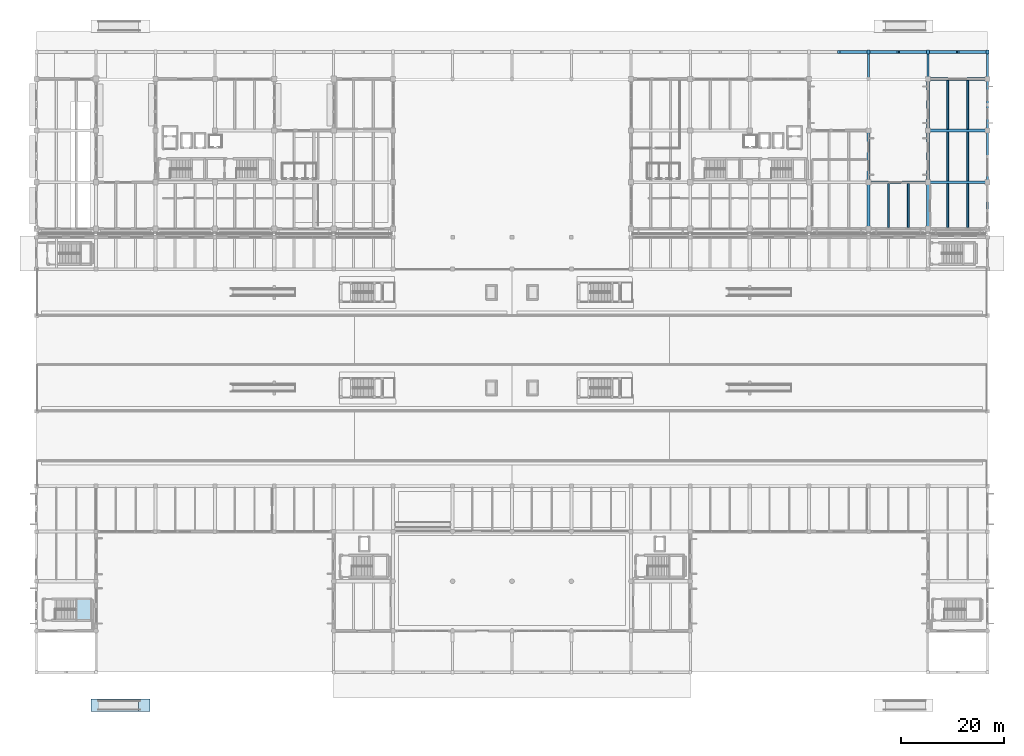
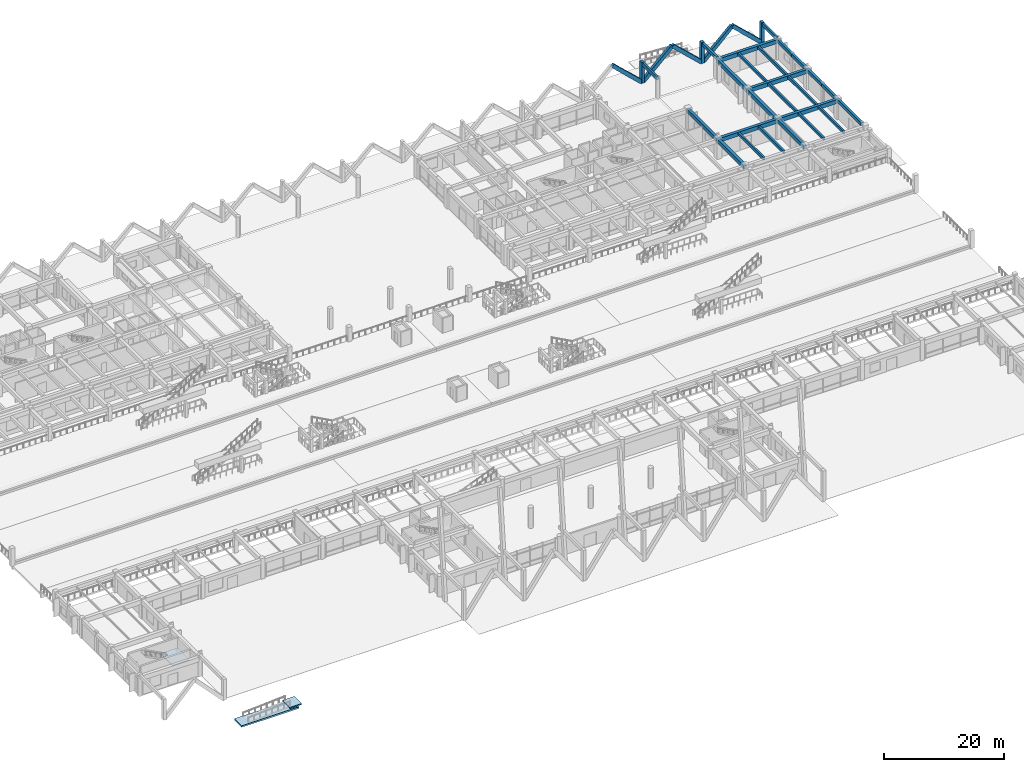
# One storey, part 71 of 109: 25 beams, 8 members, 3 slabs, 2 elements without a shape of their own.
"""IFC4 building model written with IfcOpenShell, lengths in metres."""

from ifc_helpers import new_model, si_unit, direction, frame, origin, origin_2d, place, context, subcontext, project, spatial, polyline, rectangle, outline, extrude, material, layer, layer_set, material_profile, profile_set, type_object, element, aggregate, save


model = new_model("IFC4")

# Units and contexts
model_context = context("Model", 3, precision=1e-05, world=origin(), true_north=direction((0.0, 1.0)))
body_context = subcontext(model_context, "Body", "Model", "MODEL_VIEW")
ifc_project = project(units=[si_unit("LENGTHUNIT", "METRE"), si_unit("AREAUNIT", "SQUARE_METRE"), si_unit("VOLUMEUNIT", "CUBIC_METRE"), si_unit("PLANEANGLEUNIT", "RADIAN"), si_unit("MASSUNIT", "GRAM", prefix="KILO")], contexts=[model_context])

# Site, building, storey
site_placement = place(None, origin())
site = spatial("IfcSite", under=ifc_project, at=site_placement, CompositionType="ELEMENT")
building_placement = place(site_placement, origin())
building = spatial("IfcBuilding", under=site, at=building_placement, Name="Ologun Quay Terminus", CompositionType="ELEMENT")
storey_placement = place(building_placement, origin())
storey = spatial("IfcBuildingStorey", under=building, at=storey_placement, Name="L00", CompositionType="ELEMENT", Elevation=0.0)

# Beams
ifc_material_1 = material(Name="Concrete C40/50", Category="concrete")
ifc_material_profile_1 = material_profile(ifc_material_1, rectangle(XDim=0.550048828125, YDim=0.800048828125, at=origin_2d()), Name="RC 550x800")
ifc_profile_set_1 = profile_set([ifc_material_profile_1], Name="Concrete C40/50")
beam_type_1 = type_object("IfcBeamType", Name="Courtyard Wing Primary Girder 550x800", PredefinedType="BEAM", material=ifc_profile_set_1)
for number, where, z_axis, x_axis, name in (
    (1, (161.0, 94.800048828125, 3.550048828125), (1.0, 0.0, 0.0), (0.0, 1.0, 0.0), "B4 Beam 15/H L00"),
    (2, (172.5, 94.800048828125, 3.550048828125), (1.0, 0.0, 0.0), (0.0, 1.0, 0.0), "B4 Beam 16/H L00"),
    (3, (172.5, 104.800048828125, 3.550048828125), (1.0, 0.0, 0.0), (0.0, 1.0, 0.0), "B4 Beam 16/J L00"),
    (4, (172.5, 114.800048828125, 3.550048828125), (1.0, 0.0, 0.0), (0.0, 1.0, 0.0), "B4 Beam 16/K L00"),
):
    element("IfcBeam", number, at=place(storey_placement, frame(where, z_axis=z_axis, x_axis=x_axis)), inside=storey, type_object=beam_type_1, Name=name, PredefinedType="BEAM", context=body_context, shape_type="SweptSolid", body=[
        extrude(rectangle(XDim=0.550048828125, YDim=0.800048828125, at=origin_2d()), origin(), (0.0, 0.0, 1.0), 11.5),
    ])
beam_1_placement = place(storey_placement, frame((161.0, 85.800048828125, 3.550048828125), z_axis=(0.0, 1.0, 0.0), x_axis=(-1.0, 0.0, 0.0)))
element("IfcBeam", 5, at=beam_1_placement, inside=storey, type_object=beam_type_1, Name="B4 Beam 15/G2 L00", PredefinedType="BEAM", context=body_context, shape_type="SweptSolid", body=[
    extrude(rectangle(XDim=0.550048828125, YDim=0.800048828125, at=origin_2d()), origin(), (0.0, 0.0, 1.0), 9.0),
])
beam_2_placement = place(storey_placement, frame((161.0, 94.800048828125, 3.550048828125), z_axis=(0.0, 1.0, 0.0), x_axis=(-1.0, 0.0, 0.0)))
element("IfcBeam", 6, at=beam_2_placement, inside=storey, type_object=beam_type_1, Name="B4 Beam 15/H L00", PredefinedType="BEAM", context=body_context, shape_type="SweptSolid", body=[
    extrude(rectangle(XDim=0.550048828125, YDim=0.800048828125, at=origin_2d()), origin(), (0.0, 0.0, 1.0), 10.0),
])
beam_3_placement = place(storey_placement, frame((172.5, 85.800048828125, 3.550048828125), z_axis=(0.0, 1.0, 0.0), x_axis=(-1.0, 0.0, 0.0)))
element("IfcBeam", 7, at=beam_3_placement, inside=storey, type_object=beam_type_1, Name="B4 Beam 16/G2 L00", PredefinedType="BEAM", context=body_context, shape_type="SweptSolid", body=[
    extrude(rectangle(XDim=0.550048828125, YDim=0.800048828125, at=origin_2d()), origin(), (0.0, 0.0, 1.0), 9.0),
])
for number, where, z_axis, x_axis, name in (
    (8, (172.5, 94.800048828125, 3.550048828125), (0.0, 1.0, 0.0), (-1.0, 0.0, 0.0), "B4 Beam 16/H L00"),
    (9, (172.5, 104.800048828125, 3.550048828125), (0.0, 1.0, 0.0), (-1.0, 0.0, 0.0), "B4 Beam 16/J L00"),
):
    element("IfcBeam", number, at=place(storey_placement, frame(where, z_axis=z_axis, x_axis=x_axis)), inside=storey, type_object=beam_type_1, Name=name, PredefinedType="BEAM", context=body_context, shape_type="SweptSolid", body=[
        extrude(rectangle(XDim=0.550048828125, YDim=0.800048828125, at=origin_2d()), origin(), (0.0, 0.0, 1.0), 10.0),
    ])
ifc_material_2 = material(Name="Concrete C40/50", Category="concrete")
ifc_material_profile_2 = material_profile(ifc_material_2, rectangle(XDim=0.35009765625, YDim=0.550048828125, at=origin_2d()), Name="RC 350x550")
ifc_profile_set_2 = profile_set([ifc_material_profile_2], Name="Concrete C40/50")
beam_type_2 = type_object("IfcBeamType", Name="Courtyard Wing Secondary Joist 350x550", PredefinedType="JOIST", material=ifc_profile_set_2)
for number, where, z_axis, x_axis, name in (
    (10, (164.833251953125, 86.074951171875, 3.675048828125), (0.0, 1.0, 0.0), (-1.0, 0.0, 0.0), "J2 Beam 15/G2 L00"),
    (11, (168.666748046875, 86.074951171875, 3.675048828125), (0.0, 1.0, 0.0), (-1.0, 0.0, 0.0), "J2 Beam 15/G2 L00"),
    (12, (176.333251953125, 86.074951171875, 3.675048828125), (0.0, 1.0, 0.0), (-1.0, 0.0, 0.0), "J2 Beam 16/G2 L00"),
    (13, (180.166748046875, 86.074951171875, 3.675048828125), (0.0, 1.0, 0.0), (-1.0, 0.0, 0.0), "J2 Beam 16/G2 L00"),
):
    element("IfcBeam", number, at=place(storey_placement, frame(where, z_axis=z_axis, x_axis=x_axis)), inside=storey, type_object=beam_type_2, Name=name, PredefinedType="JOIST", context=body_context, shape_type="SweptSolid", body=[
        extrude(rectangle(XDim=0.35009765625, YDim=0.550048828125, at=origin_2d()), origin(), (0.0, 0.0, 1.0), 8.449951171875),
    ])
for number, where, z_axis, x_axis, name in (
    (14, (176.333251953125, 95.074951171875, 3.675048828125), (0.0, 1.0, 0.0), (-1.0, 0.0, 0.0), "J2 Beam 16/H L00"),
    (15, (180.166748046875, 95.074951171875, 3.675048828125), (0.0, 1.0, 0.0), (-1.0, 0.0, 0.0), "J2 Beam 16/H L00"),
    (16, (176.333251953125, 105.074951171875, 3.675048828125), (0.0, 1.0, 0.0), (-1.0, 0.0, 0.0), "J2 Beam 16/J L00"),
    (17, (180.166748046875, 105.074951171875, 3.675048828125), (0.0, 1.0, 0.0), (-1.0, 0.0, 0.0), "J2 Beam 16/J L00"),
):
    element("IfcBeam", number, at=place(storey_placement, frame(where, z_axis=z_axis, x_axis=x_axis)), inside=storey, type_object=beam_type_2, Name=name, PredefinedType="JOIST", context=body_context, shape_type="SweptSolid", body=[
        extrude(rectangle(XDim=0.35009765625, YDim=0.550048828125, at=origin_2d()), origin(), (0.0, 0.0, 1.0), 9.449951171875),
    ])

# Members
ifc_material_3 = material(Name="Concrete C45/55", Category="concrete")
ifc_material_profile_3 = material_profile(ifc_material_3, rectangle(XDim=0.550048828125, YDim=0.699951171875, at=origin_2d()), Name="RC 550x700")
ifc_profile_set_3 = profile_set([ifc_material_profile_3], Name="Concrete C45/55")
member_type = type_object("IfcMemberType", Name="Folded Canopy Concrete V-Strut 550x700", PredefinedType="STRUT", material=ifc_profile_set_3)
member_1_placement = place(storey_placement, frame((161.0, 120.0, 0.0), z_axis=(0.0, 0.0, 1.0), x_axis=(1.0, 0.0, 0.0)))
element("IfcMember", 18, at=member_1_placement, inside=storey, type_object=member_type, Name="VS2 Harbour Colonnade Pier 15/L", PredefinedType="STRUT", context=body_context, shape_type="SweptSolid", body=[
    extrude(rectangle(XDim=0.550048828125, YDim=0.699951171875, at=origin_2d()), origin(), (0.0, 0.0, 1.0), 4.219970703125),
])
member_2_placement = place(storey_placement, frame((161.0, 120.0, 0.0), z_axis=(-0.727684573488, 0.0, 0.685911919643), x_axis=(0.0, -1.0, 0.0)))
element("IfcMember", 19, at=member_2_placement, inside=storey, type_object=member_type, Name="VS2 Colonnade Strut 15/L-W", PredefinedType="STRUT", context=body_context, shape_type="SweptSolid", body=[
    extrude(rectangle(XDim=0.550048828125, YDim=0.699951171875, at=origin_2d()), origin(), (0.0, 0.0, 1.0), 7.90185546875),
])
member_3_placement = place(storey_placement, frame((172.5, 120.0, 0.0), z_axis=(0.0, 0.0, 1.0), x_axis=(1.0, 0.0, 0.0)))
element("IfcMember", 20, at=member_3_placement, inside=storey, type_object=member_type, Name="VS2 Harbour Colonnade Pier 16/L", PredefinedType="STRUT", context=body_context, shape_type="SweptSolid", body=[
    extrude(rectangle(XDim=0.550048828125, YDim=0.699951171875, at=origin_2d()), origin(), (0.0, 0.0, 1.0), 4.219970703125),
])
for number, where, z_axis, x_axis, name in (
    (21, (161.0, 120.0, 0.0), (0.727684573488, 0.0, 0.685911919643), (0.0, 1.0, 0.0), "VS2 Colonnade Strut 15/L-E"),
    (22, (172.5, 120.0, 0.0), (-0.727684573488, 0.0, 0.685911919643), (0.0, -1.0, 0.0), "VS2 Colonnade Strut 16/L-W"),
):
    element("IfcMember", number, at=place(storey_placement, frame(where, z_axis=z_axis, x_axis=x_axis)), inside=storey, type_object=member_type, Name=name, PredefinedType="STRUT", context=body_context, shape_type="SweptSolid", body=[
        extrude(rectangle(XDim=0.550048828125, YDim=0.699951171875, at=origin_2d()), origin(), (0.0, 0.0, 1.0), 7.90185546875),
    ])
member_4_placement = place(storey_placement, frame((184.0, 120.0, 0.0), z_axis=(0.0, 0.0, 1.0), x_axis=(1.0, 0.0, 0.0)))
element("IfcMember", 23, at=member_4_placement, inside=storey, type_object=member_type, Name="VS2 Harbour Colonnade Pier 17/L", PredefinedType="STRUT", context=body_context, shape_type="SweptSolid", body=[
    extrude(rectangle(XDim=0.550048828125, YDim=0.699951171875, at=origin_2d()), origin(), (0.0, 0.0, 1.0), 4.219970703125),
])
for number, where, z_axis, x_axis, name in (
    (24, (172.5, 120.0, 0.0), (0.727684573488, 0.0, 0.685911919643), (0.0, 1.0, 0.0), "VS2 Colonnade Strut 16/L-E"),
    (25, (184.0, 120.0, 0.0), (-0.727684573488, 0.0, 0.685911919643), (0.0, -1.0, 0.0), "VS2 Colonnade Strut 17/L-W"),
):
    element("IfcMember", number, at=place(storey_placement, frame(where, z_axis=z_axis, x_axis=x_axis)), inside=storey, type_object=member_type, Name=name, PredefinedType="STRUT", context=body_context, shape_type="SweptSolid", body=[
        extrude(rectangle(XDim=0.550048828125, YDim=0.699951171875, at=origin_2d()), origin(), (0.0, 0.0, 1.0), 7.90185546875),
    ])

# Beams
ifc_material_4 = material(Name="Concrete C40/50", Category="concrete")
ifc_material_profile_4 = material_profile(ifc_material_4, rectangle(XDim=0.449951171875, YDim=0.699951171875, at=origin_2d()), Name="RC 450x700")
ifc_profile_set_4 = profile_set([ifc_material_profile_4], Name="Concrete C40/50")
beam_type_3 = type_object("IfcBeamType", Name="Perimeter Spandrel Beam 450x700", PredefinedType="SPANDREL", material=ifc_profile_set_4)
beam_4_placement = place(storey_placement, frame((184.0, 86.699951171875, 3.60009765625), z_axis=(0.0, 1.0, 0.0), x_axis=(-1.0, 0.0, 0.0)))
element("IfcBeam", 26, at=beam_4_placement, inside=storey, type_object=beam_type_3, Name="SP1 Beam 17/G2 L00", PredefinedType="SPANDREL", context=body_context, shape_type="SweptSolid", body=[
    extrude(rectangle(XDim=0.449951171875, YDim=0.699951171875, at=origin_2d()), origin(), (0.0, 0.0, 1.0), 8.10009765625),
])
for number, where, z_axis, x_axis, name in (
    (27, (184.0, 94.800048828125, 3.60009765625), (0.0, 1.0, 0.0), (-1.0, 0.0, 0.0), "SP1 Beam 17/H L00"),
    (28, (184.0, 99.800048828125, 3.60009765625), (0.0, 1.0, 0.0), (-1.0, 0.0, 0.0), "SP1 Beam 17/H L00"),
    (29, (184.0, 104.800048828125, 3.60009765625), (0.0, 1.0, 0.0), (-1.0, 0.0, 0.0), "SP1 Beam 17/J L00"),
    (30, (184.0, 109.800048828125, 3.60009765625), (0.0, 1.0, 0.0), (-1.0, 0.0, 0.0), "SP1 Beam 17/J L00"),
):
    element("IfcBeam", number, at=place(storey_placement, frame(where, z_axis=z_axis, x_axis=x_axis)), inside=storey, type_object=beam_type_3, Name=name, PredefinedType="SPANDREL", context=body_context, shape_type="SweptSolid", body=[
        extrude(rectangle(XDim=0.449951171875, YDim=0.699951171875, at=origin_2d()), origin(), (0.0, 0.0, 1.0), 5.0),
    ])
ifc_material_5 = material(Name="Concrete C40/50", Category="concrete")
ifc_material_profile_5 = material_profile(ifc_material_5, rectangle(XDim=0.39990234375, YDim=0.64990234375, at=origin_2d()), Name="RC 400x650")
ifc_profile_set_5 = profile_set([ifc_material_profile_5], Name="Concrete C40/50")
beam_type_4 = type_object("IfcBeamType", Name="Station Secondary Joist 400x650", PredefinedType="JOIST", material=ifc_profile_set_5)
for number, where, z_axis, x_axis, name in (
    (31, (161.0, 114.800048828125, 3.89501953125), (0.0, 1.0, 0.0), (-1.0, 0.0, 0.0), "J1 Beam 15/L L00"),
    (32, (172.5, 114.800048828125, 3.89501953125), (0.0, 1.0, 0.0), (-1.0, 0.0, 0.0), "J1 Beam 16/L L00"),
    (33, (184.0, 114.800048828125, 3.89501953125), (0.0, 1.0, 0.0), (-1.0, 0.0, 0.0), "J1 Beam 17/L L00"),
):
    element("IfcBeam", number, at=place(storey_placement, frame(where, z_axis=z_axis, x_axis=x_axis)), inside=storey, type_object=beam_type_4, Name=name, PredefinedType="JOIST", context=body_context, shape_type="SweptSolid", body=[
        extrude(rectangle(XDim=0.39990234375, YDim=0.64990234375, at=origin_2d()), origin(), (0.0, 0.0, 1.0), 5.199951171875),
    ])

# Stair, slab
ifc_material_6 = material(Name="Concrete C40/50", Category="concrete")
stair_type = type_object("IfcStairType", Name="Station Concourse Escape Stair 1800", PredefinedType="HALF_TURN_STAIR", material=ifc_material_6)
stair_placement = place(storey_placement, origin())
stair = element("IfcStair", 34, at=stair_placement, inside=storey, type_object=stair_type, Name="ST-S1 Stair L00", PredefinedType="HALF_TURN_STAIR")
ifc_material_7 = material(Name="Precast Concrete C40/50", Category="concrete")
ifc_layer = layer(ifc_material_7, 0.179931640625)
ifc_layer_set = layer_set([ifc_layer], Name="Precast Concrete C40/50")
slab_type = type_object("IfcSlabType", Name="Precast Stair Half-Landing Slab 180", PredefinedType="LANDING", material=ifc_layer_set)
slab_1_placement = place(storey_placement, frame((0.0, 0.0, 1.919921875)))
slab_1 = element("IfcSlab", 35, at=slab_1_placement, type_object=slab_type, Name="ST-S1 Half-Landing L00", PredefinedType="LANDING", context=body_context, shape_type="SweptSolid", body=[
    extrude(outline(polyline([(7.469970703125, 10.1201171875), (10.72998046875, 10.1201171875), (10.72998046875, 14.080078125), (7.469970703125, 14.080078125), (7.469970703125, 10.1201171875)])), origin(), (0.0, 0.0, 1.0), 0.18017578125),
])
aggregate(stair, [slab_1])

# Ramp, slabs
ifc_material_8 = material(Name="Concrete C40/50", Category="concrete")
ramp_type = type_object("IfcRampType", Name="Accessible Quay Approach Ramp 1800", PredefinedType="STRAIGHT_RUN_RAMP", material=ifc_material_8)
ramp_placement = place(storey_placement, origin())
ramp = element("IfcRamp", 36, at=ramp_placement, inside=storey, type_object=ramp_type, Name="Accessible Approach Ramp RMP-S-W", PredefinedType="STRAIGHT_RUN_RAMP")
slab_2_placement = place(storey_placement, frame((0.0, 0.0, -0.260009765625)))
slab_2 = element("IfcSlab", 37, at=slab_2_placement, type_object=slab_type, Name="Ramp Arrival Landing RMP-S-W", PredefinedType="LANDING", context=body_context, shape_type="SweptSolid", body=[
    extrude(outline(polyline([(19.75, -7.60009765625), (22.0, -7.60009765625), (22.0, -5.199951171875), (19.75, -5.199951171875), (19.75, -7.60009765625)])), origin(), (0.0, 0.0, 1.0), 0.260009765625),
])
slab_3_placement = place(storey_placement, frame((0.0, 0.0, -0.820068359375)))
slab_3 = element("IfcSlab", 38, at=slab_3_placement, type_object=slab_type, Name="Ramp Foot Landing RMP-S-W", PredefinedType="LANDING", context=body_context, shape_type="SweptSolid", body=[
    extrude(outline(polyline([(10.5, -7.60009765625), (21.5, -7.60009765625), (21.5, -5.199951171875), (10.5, -5.199951171875), (10.5, -7.60009765625)])), origin(), (0.0, 0.0, 1.0), 0.320068359375),
])
aggregate(ramp, [slab_2, slab_3])

save(model, "model.ifc")
